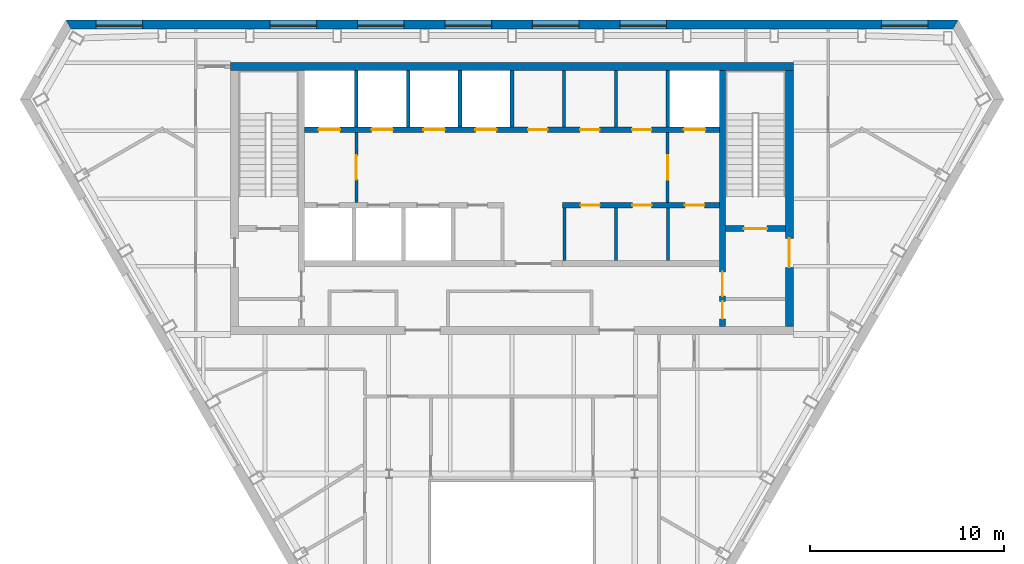
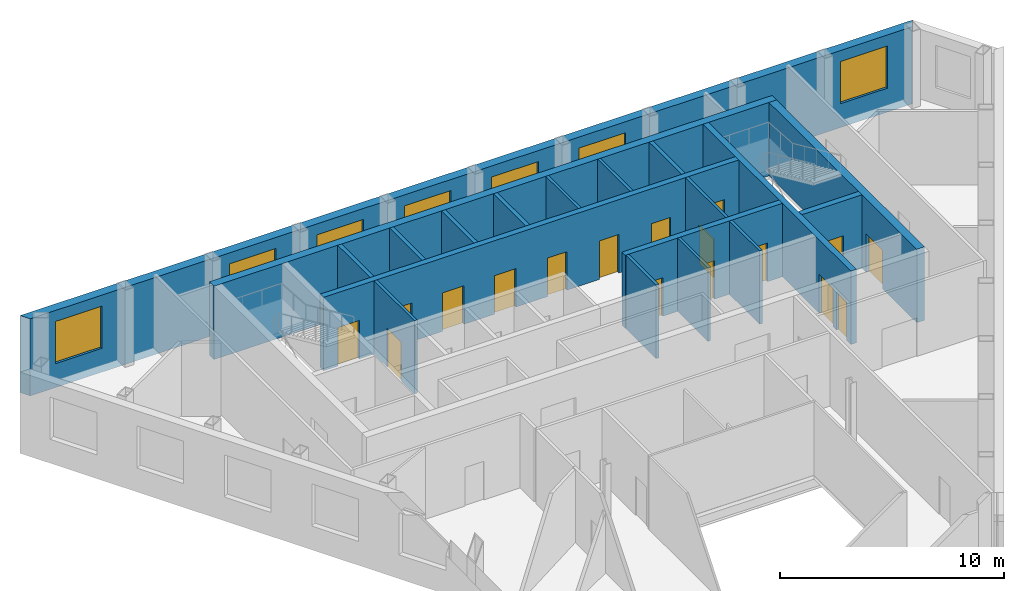
# One storey, part 6 of 10: 19 walls, 17 doors, 7 windows, 24 openings.
"""IFC4 building model written with IfcOpenShell, lengths in metres."""

from ifc_helpers import new_model, si_unit, direction, frame, frame_2d, origin, place, context, subcontext, project, spatial, polyline, rectangle, outline, extrude, material, layer, layer_set, type_object, element, fill, save


model = new_model("IFC4")

# Units and contexts
model_context = context("Model", 3, precision=1e-05, world=origin(), true_north=direction((0.0, 1.0)))
body_context = subcontext(model_context, "Body", "Model", "MODEL_VIEW")
ifc_project = project(units=[si_unit("LENGTHUNIT", "METRE"), si_unit("AREAUNIT", "SQUARE_METRE"), si_unit("VOLUMEUNIT", "CUBIC_METRE"), si_unit("PLANEANGLEUNIT", "RADIAN"), si_unit("MASSUNIT", "GRAM", prefix="KILO")], contexts=[model_context])

# Site, building, storey
site_placement = place(None, origin())
site = spatial("IfcSite", under=ifc_project, at=site_placement, CompositionType="ELEMENT")
building_placement = place(site_placement, origin())
building = spatial("IfcBuilding", under=site, at=building_placement, Name="Njiva Tower", CompositionType="ELEMENT")
storey_placement = place(building_placement, frame((0.0, 0.0, 308.4)))
storey = spatial("IfcBuildingStorey", under=building, at=storey_placement, Name="L70", CompositionType="ELEMENT", Elevation=308.4)

# Walls
ifc_material_1 = material(Name="Blockwork", Category="masonry")
ifc_layer_1 = layer(ifc_material_1, 0.15)
ifc_layer_set_1 = layer_set([ifc_layer_1], Name="Blockwork")
wall_type_1 = type_object("IfcWallType", Name="WT1 Compartment partition 150", PredefinedType="PARTITIONING", material=ifc_layer_set_1)
for number, where, z_axis, x_axis, name in (
    (1, (2.675, 14.7, 0.0), (0.0, 0.0, 1.0), (0.0, 1.0, 0.0), "Partition CN5"),
    (2, (5.35, 14.7, 0.0), (0.0, 0.0, 1.0), (0.0, 1.0, 0.0), "Partition CN6"),
):
    element("IfcWall", number, at=place(storey_placement, frame(where, z_axis=z_axis, x_axis=x_axis)), inside=storey, type_object=wall_type_1, Name=name, PredefinedType="PARTITIONING", context=body_context, shape_type="SweptSolid", body=[
        extrude(rectangle(XDim=2.9, YDim=0.15, at=frame_2d((1.45, 0.0))), origin(), (0.0, 0.0, 1.0), 4.0),
    ])
for number, where, z_axis, x_axis, name in (
    (3, (2.7, 7.8, 0.0), (0.0, 0.0, 1.0), (0.0, 1.0, 0.0), "Partition CS5"),
    (4, (5.3667, 7.8, 0.0), (0.0, 0.0, 1.0), (0.0, 1.0, 0.0), "Partition CS6"),
    (5, (8.0333, 7.8, 0.0), (0.0, 0.0, 1.0), (0.0, 1.0, 0.0), "Partition CS7"),
):
    element("IfcWall", number, at=place(storey_placement, frame(where, z_axis=z_axis, x_axis=x_axis)), inside=storey, type_object=wall_type_1, Name=name, PredefinedType="PARTITIONING", context=body_context, shape_type="SweptSolid", body=[
        extrude(rectangle(XDim=2.7, YDim=0.15, at=frame_2d((1.35, 0.0))), origin(), (0.0, 0.0, 1.0), 4.0),
    ])

# Wall, openings, doors
ifc_material_2 = material(Name="Concrete C40/50", Category="concrete")
ifc_layer_2 = layer(ifc_material_2, 0.3)
ifc_layer_set_2 = layer_set([ifc_layer_2], Name="Concrete C40/50")
wall_type_2 = type_object("IfcWallType", Name="WT10 Stair enclosure wall 300", PredefinedType="SHEAR", material=ifc_layer_set_2)
wall_1_placement = place(storey_placement, frame((10.85, 4.4, 0.0), z_axis=(0.0, 0.0, 1.0), x_axis=(0.0, 1.0, 0.0)))
wall_1 = element("IfcWall", 6, at=wall_1_placement, inside=storey, type_object=wall_type_2, Name="Stair wall east inner", PredefinedType="SHEAR", context=body_context, shape_type="SweptSolid", body=[
    extrude(rectangle(XDim=13.2, YDim=0.3, at=frame_2d((6.6, 0.0))), origin(), (0.0, 0.0, 1.0), 4.0),
])
opening_1_placement = place(wall_1_placement, frame((1.575, 0.0, 0.0)))
opening_1 = element("IfcOpeningElement", 7, at=opening_1_placement, cuts=wall_1, Name="Opening S23-D923", PredefinedType="OPENING", context=body_context, shape_type="SweptSolid", body=[
    extrude(rectangle(XDim=1.25, YDim=2.1, at=frame_2d((0.625, 1.05))), frame((0.0, 0.16, 0.0), z_axis=(0.0, -1.0, 0.0), x_axis=(1.0, 0.0, 0.0)), (0.0, 0.0, 1.0), 0.32),
])
opening_2_placement = place(wall_1_placement, frame((0.4, 0.0, 0.0)))
opening_2 = element("IfcOpeningElement", 8, at=opening_2_placement, cuts=wall_1, Name="Opening S23-D925", PredefinedType="OPENING", context=body_context, shape_type="SweptSolid", body=[
    extrude(rectangle(XDim=0.9, YDim=2.1, at=frame_2d((0.45, 1.05))), frame((0.0, 0.16, 0.0), z_axis=(0.0, -1.0, 0.0), x_axis=(1.0, 0.0, 0.0)), (0.0, 0.0, 1.0), 0.32),
])
ifc_material_3 = material(Name="Steel door, painted", Category="steel")
door_type_1 = type_object("IfcDoorType", Name="D13 Steel door 900x2100", OperationType="SINGLE_SWING_LEFT", PredefinedType="DOOR", material=ifc_material_3)
door_1_placement = place(opening_2_placement, origin())
door_1 = element("IfcDoor", 9, at=door_1_placement, inside=storey, type_object=door_type_1, Name="Quiet room door", OperationType="SINGLE_SWING_LEFT", OverallHeight=2.1, OverallWidth=0.9, PredefinedType="DOOR", context=body_context, shape_type="SweptSolid", body=[
    extrude(rectangle(XDim=0.9, YDim=2.1, at=frame_2d((0.45, 1.05))), frame((0.0, 0.025, 0.0), z_axis=(0.0, -1.0, 0.0), x_axis=(1.0, 0.0, 0.0)), (0.0, 0.0, 1.0), 0.05),
])
fill(opening_2, door_1)
ifc_material_4 = material(Name="Glazed steel fire door", Category="steel")
door_type_2 = type_object("IfcDoorType", Name="D8 Vestibule corridor door 1250x2100 glazed", OperationType="SINGLE_SWING_LEFT", PredefinedType="DOOR", material=ifc_material_4)
door_2_placement = place(opening_1_placement, origin())
door_2 = element("IfcDoor", 10, at=door_2_placement, inside=storey, type_object=door_type_2, Name="Stair vestibule corridor door", OperationType="SINGLE_SWING_RIGHT", OverallHeight=2.1, OverallWidth=1.25, PredefinedType="DOOR", context=body_context, shape_type="SweptSolid", body=[
    extrude(rectangle(XDim=1.25, YDim=2.1, at=frame_2d((0.625, 1.05))), frame((0.0, 0.025, 0.0), z_axis=(0.0, -1.0, 0.0), x_axis=(1.0, 0.0, 0.0)), (0.0, 0.0, 1.0), 0.05),
])
fill(opening_1, door_2)

# Wall, opening, door
wall_2_placement = place(storey_placement, frame((11.0, 9.45, 0.0), z_axis=(0.0, 0.0, 1.0), x_axis=(1.0, 0.0, 0.0)))
wall_2 = element("IfcWall", 11, at=wall_2_placement, inside=storey, type_object=wall_type_2, Name="Stair B south wall", PredefinedType="SHEAR", context=body_context, shape_type="SweptSolid", body=[
    extrude(rectangle(XDim=3.1, YDim=0.3, at=frame_2d((1.55, 0.0))), origin(), (0.0, 0.0, 1.0), 4.0),
])
opening_3_placement = place(wall_2_placement, frame((0.95, 0.0, 0.0)))
opening_3 = element("IfcOpeningElement", 12, at=opening_3_placement, cuts=wall_2, Name="Opening S23-D922", PredefinedType="OPENING", context=body_context, shape_type="SweptSolid", body=[
    extrude(rectangle(XDim=1.2, YDim=2.1, at=frame_2d((0.6, 1.05))), frame((0.0, 0.16, 0.0), z_axis=(0.0, -1.0, 0.0), x_axis=(1.0, 0.0, 0.0)), (0.0, 0.0, 1.0), 0.32),
])
door_type_3 = type_object("IfcDoorType", Name="D7 Stair vestibule door 1200x2100 glazed", OperationType="SINGLE_SWING_LEFT", PredefinedType="DOOR", material=ifc_material_4)
door_3_placement = place(opening_3_placement, origin())
door_3 = element("IfcDoor", 13, at=door_3_placement, inside=storey, type_object=door_type_3, Name="Stair B door", OperationType="SINGLE_SWING_LEFT", OverallHeight=2.1, OverallWidth=1.2, PredefinedType="DOOR", context=body_context, shape_type="SweptSolid", body=[
    extrude(rectangle(XDim=1.2, YDim=2.1, at=frame_2d((0.6, 1.05))), frame((0.0, 0.025, 0.0), z_axis=(0.0, -1.0, 0.0), x_axis=(1.0, 0.0, 0.0)), (0.0, 0.0, 1.0), 0.05),
])
fill(opening_3, door_3)

# Wall
ifc_material_5 = material(Name="Concrete C60/75", Category="concrete")
ifc_layer_3 = layer(ifc_material_5, 0.4)
ifc_layer_set_3 = layer_set([ifc_layer_3], Name="Concrete C60/75")
wall_type_3 = type_object("IfcWallType", Name="WT11 Core wall 400", PredefinedType="SHEAR", material=ifc_layer_set_3)
wall_3_placement = place(storey_placement, frame((-14.5, 17.8, 0.0), z_axis=(0.0, 0.0, 1.0), x_axis=(1.0, 0.0, 0.0)))
element("IfcWall", 14, at=wall_3_placement, inside=storey, type_object=wall_type_3, Name="Core wall north", PredefinedType="SHEAR", context=body_context, shape_type="SweptSolid", body=[
    extrude(rectangle(XDim=29.0, YDim=0.4, at=frame_2d((14.5, 0.0))), origin(), (0.0, 0.0, 1.0), 4.0),
])

# Wall, opening, door
wall_4_placement = place(storey_placement, frame((14.3, 4.4, 0.0), z_axis=(0.0, 0.0, 1.0), x_axis=(0.0, 1.0, 0.0)))
wall_4 = element("IfcWall", 15, at=wall_4_placement, inside=storey, type_object=wall_type_3, Name="Core wall east", PredefinedType="SHEAR", context=body_context, shape_type="SweptSolid", body=[
    extrude(rectangle(XDim=13.2, YDim=0.4, at=frame_2d((6.6, 0.0))), origin(), (0.0, 0.0, 1.0), 4.0),
])
opening_4_placement = place(wall_4_placement, frame((3.05, 0.0, 0.0)))
opening_4 = element("IfcOpeningElement", 16, at=opening_4_placement, cuts=wall_4, Name="Opening S23-D924", PredefinedType="OPENING", context=body_context, shape_type="SweptSolid", body=[
    extrude(rectangle(XDim=1.5, YDim=2.1, at=frame_2d((0.75, 1.05))), frame((0.0, 0.21, 0.0), z_axis=(0.0, -1.0, 0.0), x_axis=(1.0, 0.0, 0.0)), (0.0, 0.0, 1.0), 0.42),
])
door_type_4 = type_object("IfcDoorType", Name="D10 Exit door double 1500x2100 glazed", OperationType="DOUBLE_DOOR_SINGLE_SWING", PredefinedType="DOOR", material=ifc_material_4)
door_4_placement = place(opening_4_placement, origin())
door_4 = element("IfcDoor", 17, at=door_4_placement, inside=storey, type_object=door_type_4, Name="Stair B corridor door", OperationType="DOUBLE_DOOR_SINGLE_SWING", OverallHeight=2.1, OverallWidth=1.5, PredefinedType="DOOR", context=body_context, shape_type="SweptSolid", body=[
    extrude(rectangle(XDim=1.5, YDim=2.1, at=frame_2d((0.75, 1.05))), frame((0.0, 0.025, 0.0), z_axis=(0.0, -1.0, 0.0), x_axis=(1.0, 0.0, 0.0)), (0.0, 0.0, 1.0), 0.05),
])
fill(opening_4, door_4)

ifc_layer_4 = layer(ifc_material_1, 0.15)
ifc_layer_set_4 = layer_set([ifc_layer_4], Name="Blockwork")
wall_type_4 = type_object("IfcWallType", Name="WT2 Lobby partition 150", PredefinedType="PARTITIONING", material=ifc_layer_set_4)
wall_5_placement = place(storey_placement, frame((-8.025, 10.8, 0.0), z_axis=(0.0, 0.0, 1.0), x_axis=(0.0, 1.0, 0.0)))
wall_5 = element("IfcWall", 18, at=wall_5_placement, inside=storey, type_object=wall_type_4, Name="Firefighting lobby wall A", PredefinedType="PARTITIONING", context=body_context, shape_type="SweptSolid", body=[
    extrude(rectangle(XDim=3.6, YDim=0.15, at=frame_2d((1.8, 0.0))), origin(), (0.0, 0.0, 1.0), 4.0),
])
opening_5_placement = place(wall_5_placement, frame((1.175, 0.0, 0.0)))
opening_5 = element("IfcOpeningElement", 19, at=opening_5_placement, cuts=wall_5, Name="Opening S23-D916", PredefinedType="OPENING", context=body_context, shape_type="SweptSolid", body=[
    extrude(rectangle(XDim=1.25, YDim=2.1, at=frame_2d((0.625, 1.05))), frame((0.0, 0.085, 0.0), z_axis=(0.0, -1.0, 0.0), x_axis=(1.0, 0.0, 0.0)), (0.0, 0.0, 1.0), 0.17),
])
door_5_placement = place(opening_5_placement, origin())
door_5 = element("IfcDoor", 20, at=door_5_placement, inside=storey, type_object=door_type_2, Name="Stair vestibule corridor door", OperationType="SINGLE_SWING_RIGHT", OverallHeight=2.1, OverallWidth=1.25, PredefinedType="DOOR", context=body_context, shape_type="SweptSolid", body=[
    extrude(rectangle(XDim=1.25, YDim=2.1, at=frame_2d((0.625, 1.05))), frame((0.0, 0.025, 0.0), z_axis=(0.0, -1.0, 0.0), x_axis=(1.0, 0.0, 0.0)), (0.0, 0.0, 1.0), 0.05),
])
fill(opening_5, door_5)

wall_6_placement = place(storey_placement, frame((8.025, 10.8, 0.0), z_axis=(0.0, 0.0, 1.0), x_axis=(0.0, 1.0, 0.0)))
wall_6 = element("IfcWall", 21, at=wall_6_placement, inside=storey, type_object=wall_type_4, Name="Firefighting lobby wall B", PredefinedType="PARTITIONING", context=body_context, shape_type="SweptSolid", body=[
    extrude(rectangle(XDim=3.6, YDim=0.15, at=frame_2d((1.8, 0.0))), origin(), (0.0, 0.0, 1.0), 4.0),
])
opening_6_placement = place(wall_6_placement, frame((1.175, 0.0, 0.0)))
opening_6 = element("IfcOpeningElement", 22, at=opening_6_placement, cuts=wall_6, Name="Opening S23-D921", PredefinedType="OPENING", context=body_context, shape_type="SweptSolid", body=[
    extrude(rectangle(XDim=1.25, YDim=2.1, at=frame_2d((0.625, 1.05))), frame((0.0, 0.085, 0.0), z_axis=(0.0, -1.0, 0.0), x_axis=(1.0, 0.0, 0.0)), (0.0, 0.0, 1.0), 0.17),
])
door_6_placement = place(opening_6_placement, origin())
door_6 = element("IfcDoor", 23, at=door_6_placement, inside=storey, type_object=door_type_2, Name="Stair vestibule corridor door", OperationType="SINGLE_SWING_LEFT", OverallHeight=2.1, OverallWidth=1.25, PredefinedType="DOOR", context=body_context, shape_type="SweptSolid", body=[
    extrude(rectangle(XDim=1.25, YDim=2.1, at=frame_2d((0.625, 1.05))), frame((0.0, 0.025, 0.0), z_axis=(0.0, -1.0, 0.0), x_axis=(1.0, 0.0, 0.0)), (0.0, 0.0, 1.0), 0.05),
])
fill(opening_6, door_6)

# Walls
ifc_layer_5 = layer(ifc_material_2, 0.2)
ifc_layer_set_5 = layer_set([ifc_layer_5], Name="Concrete C40/50")
wall_type_5 = type_object("IfcWallType", Name="WT6 Lift shaft wall 200", PredefinedType="SHEAR", material=ifc_layer_set_5)
for number, where, z_axis, x_axis, name in (
    (24, (-8.025, 14.7, 0.0), (0.0, 0.0, 1.0), (0.0, 1.0, 0.0), "Shaft wall CN1"),
    (25, (-5.35, 14.7, 0.0), (0.0, 0.0, 1.0), (0.0, 1.0, 0.0), "Shaft wall CN2"),
    (26, (-2.675, 14.7, 0.0), (0.0, 0.0, 1.0), (0.0, 1.0, 0.0), "Shaft wall CN3"),
    (27, (0.0, 14.7, 0.0), (0.0, 0.0, 1.0), (0.0, 1.0, 0.0), "Shaft wall CN4"),
    (28, (8.025, 14.7, 0.0), (0.0, 0.0, 1.0), (0.0, 1.0, 0.0), "Shaft wall CN7"),
):
    element("IfcWall", number, at=place(storey_placement, frame(where, z_axis=z_axis, x_axis=x_axis)), inside=storey, type_object=wall_type_5, Name=name, PredefinedType="SHEAR", context=body_context, shape_type="SweptSolid", body=[
        extrude(rectangle(XDim=2.9, YDim=0.2, at=frame_2d((1.45, 0.0))), origin(), (0.0, 0.0, 1.0), 4.0),
    ])

# Wall, openings, doors
ifc_layer_6 = layer(ifc_material_2, 0.3)
ifc_layer_set_6 = layer_set([ifc_layer_6], Name="Concrete C40/50")
wall_type_6 = type_object("IfcWallType", Name="WT7 Lift shaft wall 300", PredefinedType="SHEAR", material=ifc_layer_set_6)
wall_7_placement = place(storey_placement, frame((-10.7, 14.55, 0.0), z_axis=(0.0, 0.0, 1.0), x_axis=(1.0, 0.0, 0.0)))
wall_7 = element("IfcWall", 29, at=wall_7_placement, inside=storey, type_object=wall_type_6, Name="Shaft wall north row lobby side", PredefinedType="SHEAR", context=body_context, shape_type="SweptSolid", body=[
    extrude(rectangle(XDim=21.4, YDim=0.3, at=frame_2d((10.7, 0.0))), origin(), (0.0, 0.0, 1.0), 4.0),
])
opening_7_placement = place(wall_7_placement, frame((0.7375, 0.0, 0.0)))
opening_7 = element("IfcOpeningElement", 30, at=opening_7_placement, cuts=wall_7, Name="Opening S23-D901", PredefinedType="OPENING", context=body_context, shape_type="SweptSolid", body=[
    extrude(rectangle(XDim=1.1, YDim=2.1, at=frame_2d((0.55, 1.05))), frame((0.0, 0.16, 0.0), z_axis=(0.0, -1.0, 0.0), x_axis=(1.0, 0.0, 0.0)), (0.0, 0.0, 1.0), 0.32),
])
opening_8_placement = place(wall_7_placement, frame((3.4625, 0.0, 0.0)))
opening_8 = element("IfcOpeningElement", 31, at=opening_8_placement, cuts=wall_7, Name="Opening S23-D902", PredefinedType="OPENING", context=body_context, shape_type="SweptSolid", body=[
    extrude(rectangle(XDim=1.1, YDim=2.1, at=frame_2d((0.55, 1.05))), frame((0.0, 0.16, 0.0), z_axis=(0.0, -1.0, 0.0), x_axis=(1.0, 0.0, 0.0)), (0.0, 0.0, 1.0), 0.32),
])
opening_9_placement = place(wall_7_placement, frame((6.1375, 0.0, 0.0)))
opening_9 = element("IfcOpeningElement", 32, at=opening_9_placement, cuts=wall_7, Name="Opening S23-D903", PredefinedType="OPENING", context=body_context, shape_type="SweptSolid", body=[
    extrude(rectangle(XDim=1.1, YDim=2.1, at=frame_2d((0.55, 1.05))), frame((0.0, 0.16, 0.0), z_axis=(0.0, -1.0, 0.0), x_axis=(1.0, 0.0, 0.0)), (0.0, 0.0, 1.0), 0.32),
])
opening_10_placement = place(wall_7_placement, frame((8.8125, 0.0, 0.0)))
opening_10 = element("IfcOpeningElement", 33, at=opening_10_placement, cuts=wall_7, Name="Opening S23-D904", PredefinedType="OPENING", context=body_context, shape_type="SweptSolid", body=[
    extrude(rectangle(XDim=1.1, YDim=2.1, at=frame_2d((0.55, 1.05))), frame((0.0, 0.16, 0.0), z_axis=(0.0, -1.0, 0.0), x_axis=(1.0, 0.0, 0.0)), (0.0, 0.0, 1.0), 0.32),
])
opening_11_placement = place(wall_7_placement, frame((19.5625, 0.0, 0.0)))
opening_11 = element("IfcOpeningElement", 34, at=opening_11_placement, cuts=wall_7, Name="Opening S23-D905", PredefinedType="OPENING", context=body_context, shape_type="SweptSolid", body=[
    extrude(rectangle(XDim=1.1, YDim=2.1, at=frame_2d((0.55, 1.05))), frame((0.0, 0.16, 0.0), z_axis=(0.0, -1.0, 0.0), x_axis=(1.0, 0.0, 0.0)), (0.0, 0.0, 1.0), 0.32),
])
opening_12_placement = place(wall_7_placement, frame((11.5375, 0.0, 0.0)))
opening_12 = element("IfcOpeningElement", 35, at=opening_12_placement, cuts=wall_7, Name="Opening S23-D909", PredefinedType="OPENING", context=body_context, shape_type="SweptSolid", body=[
    extrude(rectangle(XDim=1.0, YDim=2.1, at=frame_2d((0.5, 1.05))), frame((0.0, 0.16, 0.0), z_axis=(0.0, -1.0, 0.0), x_axis=(1.0, 0.0, 0.0)), (0.0, 0.0, 1.0), 0.32),
])
opening_13_placement = place(wall_7_placement, frame((14.2125, 0.0, 0.0)))
opening_13 = element("IfcOpeningElement", 36, at=opening_13_placement, cuts=wall_7, Name="Opening S23-D910", PredefinedType="OPENING", context=body_context, shape_type="SweptSolid", body=[
    extrude(rectangle(XDim=1.0, YDim=2.1, at=frame_2d((0.5, 1.05))), frame((0.0, 0.16, 0.0), z_axis=(0.0, -1.0, 0.0), x_axis=(1.0, 0.0, 0.0)), (0.0, 0.0, 1.0), 0.32),
])
opening_14_placement = place(wall_7_placement, frame((16.8875, 0.0, 0.0)))
opening_14 = element("IfcOpeningElement", 37, at=opening_14_placement, cuts=wall_7, Name="Opening S23-D911", PredefinedType="OPENING", context=body_context, shape_type="SweptSolid", body=[
    extrude(rectangle(XDim=1.0, YDim=2.1, at=frame_2d((0.5, 1.05))), frame((0.0, 0.16, 0.0), z_axis=(0.0, -1.0, 0.0), x_axis=(1.0, 0.0, 0.0)), (0.0, 0.0, 1.0), 0.32),
])
door_type_5 = type_object("IfcDoorType", Name="D5 Steel door 1000x2100", OperationType="SINGLE_SWING_LEFT", PredefinedType="DOOR", material=ifc_material_3)
door_7_placement = place(opening_12_placement, origin())
door_7 = element("IfcDoor", 38, at=door_7_placement, inside=storey, type_object=door_type_5, Name="Business centre door", OperationType="SINGLE_SWING_LEFT", OverallHeight=2.1, OverallWidth=1.0, PredefinedType="DOOR", context=body_context, shape_type="SweptSolid", body=[
    extrude(rectangle(XDim=1.0, YDim=2.1, at=frame_2d((0.5, 1.05))), frame((0.0, 0.025, 0.0), z_axis=(0.0, -1.0, 0.0), x_axis=(1.0, 0.0, 0.0)), (0.0, 0.0, 1.0), 0.05),
])
fill(opening_12, door_7)
door_8_placement = place(opening_13_placement, origin())
door_8 = element("IfcDoor", 39, at=door_8_placement, inside=storey, type_object=door_type_5, Name="Meeting room door", OperationType="SINGLE_SWING_LEFT", OverallHeight=2.1, OverallWidth=1.0, PredefinedType="DOOR", context=body_context, shape_type="SweptSolid", body=[
    extrude(rectangle(XDim=1.0, YDim=2.1, at=frame_2d((0.5, 1.05))), frame((0.0, 0.025, 0.0), z_axis=(0.0, -1.0, 0.0), x_axis=(1.0, 0.0, 0.0)), (0.0, 0.0, 1.0), 0.05),
])
fill(opening_13, door_8)
door_9_placement = place(opening_14_placement, origin())
door_9 = element("IfcDoor", 40, at=door_9_placement, inside=storey, type_object=door_type_5, Name="Breakout room door", OperationType="SINGLE_SWING_LEFT", OverallHeight=2.1, OverallWidth=1.0, PredefinedType="DOOR", context=body_context, shape_type="SweptSolid", body=[
    extrude(rectangle(XDim=1.0, YDim=2.1, at=frame_2d((0.5, 1.05))), frame((0.0, 0.025, 0.0), z_axis=(0.0, -1.0, 0.0), x_axis=(1.0, 0.0, 0.0)), (0.0, 0.0, 1.0), 0.05),
])
fill(opening_14, door_9)
ifc_material_6 = material(Name="Stainless steel sliding door", Category="steel")
door_type_6 = type_object("IfcDoorType", Name="LD Lift landing door 1100x2100", OperationType="SLIDING_TO_LEFT", PredefinedType="DOOR", material=ifc_material_6)
door_10_placement = place(opening_7_placement, origin())
door_10 = element("IfcDoor", 41, at=door_10_placement, inside=storey, type_object=door_type_6, Name="Lift landing door FF1", OperationType="SLIDING_TO_LEFT", OverallHeight=2.1, OverallWidth=1.1, PredefinedType="DOOR", context=body_context, shape_type="SweptSolid", body=[
    extrude(rectangle(XDim=1.1, YDim=2.1, at=frame_2d((0.55, 1.05))), frame((0.0, 0.025, 0.0), z_axis=(0.0, -1.0, 0.0), x_axis=(1.0, 0.0, 0.0)), (0.0, 0.0, 1.0), 0.05),
])
fill(opening_7, door_10)
door_11_placement = place(opening_8_placement, origin())
door_11 = element("IfcDoor", 42, at=door_11_placement, inside=storey, type_object=door_type_6, Name="Lift landing door HB4", OperationType="SLIDING_TO_LEFT", OverallHeight=2.1, OverallWidth=1.1, PredefinedType="DOOR", context=body_context, shape_type="SweptSolid", body=[
    extrude(rectangle(XDim=1.1, YDim=2.1, at=frame_2d((0.55, 1.05))), frame((0.0, 0.025, 0.0), z_axis=(0.0, -1.0, 0.0), x_axis=(1.0, 0.0, 0.0)), (0.0, 0.0, 1.0), 0.05),
])
fill(opening_8, door_11)
door_12_placement = place(opening_9_placement, origin())
door_12 = element("IfcDoor", 43, at=door_12_placement, inside=storey, type_object=door_type_6, Name="Lift landing door HB5", OperationType="SLIDING_TO_LEFT", OverallHeight=2.1, OverallWidth=1.1, PredefinedType="DOOR", context=body_context, shape_type="SweptSolid", body=[
    extrude(rectangle(XDim=1.1, YDim=2.1, at=frame_2d((0.55, 1.05))), frame((0.0, 0.025, 0.0), z_axis=(0.0, -1.0, 0.0), x_axis=(1.0, 0.0, 0.0)), (0.0, 0.0, 1.0), 0.05),
])
fill(opening_9, door_12)
door_13_placement = place(opening_10_placement, origin())
door_13 = element("IfcDoor", 44, at=door_13_placement, inside=storey, type_object=door_type_6, Name="Lift landing door HB6", OperationType="SLIDING_TO_LEFT", OverallHeight=2.1, OverallWidth=1.1, PredefinedType="DOOR", context=body_context, shape_type="SweptSolid", body=[
    extrude(rectangle(XDim=1.1, YDim=2.1, at=frame_2d((0.55, 1.05))), frame((0.0, 0.025, 0.0), z_axis=(0.0, -1.0, 0.0), x_axis=(1.0, 0.0, 0.0)), (0.0, 0.0, 1.0), 0.05),
])
fill(opening_10, door_13)
door_14_placement = place(opening_11_placement, origin())
door_14 = element("IfcDoor", 45, at=door_14_placement, inside=storey, type_object=door_type_6, Name="Lift landing door FF2", OperationType="SLIDING_TO_LEFT", OverallHeight=2.1, OverallWidth=1.1, PredefinedType="DOOR", context=body_context, shape_type="SweptSolid", body=[
    extrude(rectangle(XDim=1.1, YDim=2.1, at=frame_2d((0.55, 1.05))), frame((0.0, 0.025, 0.0), z_axis=(0.0, -1.0, 0.0), x_axis=(1.0, 0.0, 0.0)), (0.0, 0.0, 1.0), 0.05),
])
fill(opening_11, door_14)

wall_8_placement = place(storey_placement, frame((2.6, 10.65, 0.0), z_axis=(0.0, 0.0, 1.0), x_axis=(1.0, 0.0, 0.0)))
wall_8 = element("IfcWall", 46, at=wall_8_placement, inside=storey, type_object=wall_type_6, Name="Shaft wall south row lobby side E", PredefinedType="SHEAR", context=body_context, shape_type="SweptSolid", body=[
    extrude(rectangle(XDim=8.1, YDim=0.3, at=frame_2d((4.05, 0.0))), origin(), (0.0, 0.0, 1.0), 4.0),
])
opening_15_placement = place(wall_8_placement, frame((0.9334, 0.0, 0.0)))
opening_15 = element("IfcOpeningElement", 47, at=opening_15_placement, cuts=wall_8, Name="Opening S23-D913", PredefinedType="OPENING", context=body_context, shape_type="SweptSolid", body=[
    extrude(rectangle(XDim=1.0, YDim=2.1, at=frame_2d((0.5, 1.05))), frame((0.0, 0.16, 0.0), z_axis=(0.0, -1.0, 0.0), x_axis=(1.0, 0.0, 0.0)), (0.0, 0.0, 1.0), 0.32),
])
opening_16_placement = place(wall_8_placement, frame((3.6, 0.0, 0.0)))
opening_16 = element("IfcOpeningElement", 48, at=opening_16_placement, cuts=wall_8, Name="Opening S23-D914", PredefinedType="OPENING", context=body_context, shape_type="SweptSolid", body=[
    extrude(rectangle(XDim=1.0, YDim=2.1, at=frame_2d((0.5, 1.05))), frame((0.0, 0.16, 0.0), z_axis=(0.0, -1.0, 0.0), x_axis=(1.0, 0.0, 0.0)), (0.0, 0.0, 1.0), 0.32),
])
opening_17_placement = place(wall_8_placement, frame((6.3167, 0.0, 0.0)))
opening_17 = element("IfcOpeningElement", 49, at=opening_17_placement, cuts=wall_8, Name="Opening S23-D915", PredefinedType="OPENING", context=body_context, shape_type="SweptSolid", body=[
    extrude(rectangle(XDim=1.0, YDim=2.1, at=frame_2d((0.5, 1.05))), frame((0.0, 0.16, 0.0), z_axis=(0.0, -1.0, 0.0), x_axis=(1.0, 0.0, 0.0)), (0.0, 0.0, 1.0), 0.32),
])
door_15_placement = place(opening_15_placement, origin())
door_15 = element("IfcDoor", 50, at=door_15_placement, inside=storey, type_object=door_type_5, Name="Reading room door", OperationType="SINGLE_SWING_LEFT", OverallHeight=2.1, OverallWidth=1.0, PredefinedType="DOOR", context=body_context, shape_type="SweptSolid", body=[
    extrude(rectangle(XDim=1.0, YDim=2.1, at=frame_2d((0.5, 1.05))), frame((0.0, 0.025, 0.0), z_axis=(0.0, -1.0, 0.0), x_axis=(1.0, 0.0, 0.0)), (0.0, 0.0, 1.0), 0.05),
])
fill(opening_15, door_15)
door_16_placement = place(opening_16_placement, origin())
door_16 = element("IfcDoor", 51, at=door_16_placement, inside=storey, type_object=door_type_5, Name="Business centre door", OperationType="SINGLE_SWING_RIGHT", OverallHeight=2.1, OverallWidth=1.0, PredefinedType="DOOR", context=body_context, shape_type="SweptSolid", body=[
    extrude(rectangle(XDim=1.0, YDim=2.1, at=frame_2d((0.5, 1.05))), frame((0.0, 0.025, 0.0), z_axis=(0.0, -1.0, 0.0), x_axis=(1.0, 0.0, 0.0)), (0.0, 0.0, 1.0), 0.05),
])
fill(opening_16, door_16)
door_17_placement = place(opening_17_placement, origin())
door_17 = element("IfcDoor", 52, at=door_17_placement, inside=storey, type_object=door_type_5, Name="Pump room door", OperationType="SINGLE_SWING_RIGHT", OverallHeight=2.1, OverallWidth=1.0, PredefinedType="DOOR", context=body_context, shape_type="SweptSolid", body=[
    extrude(rectangle(XDim=1.0, YDim=2.1, at=frame_2d((0.5, 1.05))), frame((0.0, 0.025, 0.0), z_axis=(0.0, -1.0, 0.0), x_axis=(1.0, 0.0, 0.0)), (0.0, 0.0, 1.0), 0.05),
])
fill(opening_17, door_17)

# Wall, openings, windows
ifc_material_7 = material(Name="Brick masonry", Category="masonry")
ifc_layer_7 = layer(ifc_material_7, 0.45)
ifc_layer_set_7 = layer_set([ifc_layer_7], Name="Brick masonry")
wall_type_7 = type_object("IfcWallType", Name="WT90 Brick pier and spandrel wall 450", PredefinedType="SOLIDWALL", material=ifc_layer_set_7)
wall_9_placement = place(storey_placement, frame((22.8651, 19.975, -0.4), z_axis=(0.0, 0.0, 1.0), x_axis=(-1.0, 0.0, 0.0)))
wall_9 = element("IfcWall", 53, at=wall_9_placement, inside=storey, type_object=wall_type_7, Name="Facade wall N", PredefinedType="SOLIDWALL", context=body_context, shape_type="SweptSolid", body=[
    extrude(outline(polyline([(-0.1299, -0.225), (45.8601, -0.225), (45.6003, 0.225), (0.1299, 0.225), (-0.1299, -0.225)])), origin(), (0.0, 0.0, 1.0), 4.2),
])
opening_18_placement = place(wall_9_placement, frame((1.4237, 0.0, 1.3)))
opening_18 = element("IfcOpeningElement", 54, at=opening_18_placement, cuts=wall_9, Name="Opening S23-W01", PredefinedType="OPENING", context=body_context, shape_type="SweptSolid", body=[
    extrude(rectangle(XDim=2.4, YDim=2.3, at=frame_2d((1.2, 1.15))), frame((0.0, 0.235, 0.0), z_axis=(0.0, -1.0, 0.0), x_axis=(1.0, 0.0, 0.0)), (0.0, 0.0, 1.0), 0.47),
])
opening_19_placement = place(wall_9_placement, frame((14.9052, 0.0, 1.3)))
opening_19 = element("IfcOpeningElement", 55, at=opening_19_placement, cuts=wall_9, Name="Opening S23-W02", PredefinedType="OPENING", context=body_context, shape_type="SweptSolid", body=[
    extrude(rectangle(XDim=2.4, YDim=2.3, at=frame_2d((1.2, 1.15))), frame((0.0, 0.235, 0.0), z_axis=(0.0, -1.0, 0.0), x_axis=(1.0, 0.0, 0.0)), (0.0, 0.0, 1.0), 0.47),
])
opening_20_placement = place(wall_9_placement, frame((19.4118, 0.0, 1.3)))
opening_20 = element("IfcOpeningElement", 56, at=opening_20_placement, cuts=wall_9, Name="Opening S23-W03", PredefinedType="OPENING", context=body_context, shape_type="SweptSolid", body=[
    extrude(rectangle(XDim=2.4, YDim=2.3, at=frame_2d((1.2, 1.15))), frame((0.0, 0.235, 0.0), z_axis=(0.0, -1.0, 0.0), x_axis=(1.0, 0.0, 0.0)), (0.0, 0.0, 1.0), 0.47),
])
opening_21_placement = place(wall_9_placement, frame((23.9184, 0.0, 1.3)))
opening_21 = element("IfcOpeningElement", 57, at=opening_21_placement, cuts=wall_9, Name="Opening S23-W04", PredefinedType="OPENING", context=body_context, shape_type="SweptSolid", body=[
    extrude(rectangle(XDim=2.4, YDim=2.3, at=frame_2d((1.2, 1.15))), frame((0.0, 0.235, 0.0), z_axis=(0.0, -1.0, 0.0), x_axis=(1.0, 0.0, 0.0)), (0.0, 0.0, 1.0), 0.47),
])
opening_22_placement = place(wall_9_placement, frame((28.425, 0.0, 1.3)))
opening_22 = element("IfcOpeningElement", 58, at=opening_22_placement, cuts=wall_9, Name="Opening S23-W05", PredefinedType="OPENING", context=body_context, shape_type="SweptSolid", body=[
    extrude(rectangle(XDim=2.4, YDim=2.3, at=frame_2d((1.2, 1.15))), frame((0.0, 0.235, 0.0), z_axis=(0.0, -1.0, 0.0), x_axis=(1.0, 0.0, 0.0)), (0.0, 0.0, 1.0), 0.47),
])
opening_23_placement = place(wall_9_placement, frame((32.9316, 0.0, 1.3)))
opening_23 = element("IfcOpeningElement", 59, at=opening_23_placement, cuts=wall_9, Name="Opening S23-W06", PredefinedType="OPENING", context=body_context, shape_type="SweptSolid", body=[
    extrude(rectangle(XDim=2.4, YDim=2.3, at=frame_2d((1.2, 1.15))), frame((0.0, 0.235, 0.0), z_axis=(0.0, -1.0, 0.0), x_axis=(1.0, 0.0, 0.0)), (0.0, 0.0, 1.0), 0.47),
])
opening_24_placement = place(wall_9_placement, frame((41.9065, 0.0, 1.3)))
opening_24 = element("IfcOpeningElement", 60, at=opening_24_placement, cuts=wall_9, Name="Opening S23-W07", PredefinedType="OPENING", context=body_context, shape_type="SweptSolid", body=[
    extrude(rectangle(XDim=2.4, YDim=2.3, at=frame_2d((1.2, 1.15))), frame((0.0, 0.235, 0.0), z_axis=(0.0, -1.0, 0.0), x_axis=(1.0, 0.0, 0.0)), (0.0, 0.0, 1.0), 0.47),
])
ifc_material_8 = material(Name="Clear glazing in aluminium frame", Category="aluminium")
window_type = type_object("IfcWindowType", Name="W91 Deep-set window 2400x2300", PartitioningType="SINGLE_PANEL", PredefinedType="WINDOW", material=ifc_material_8)
window_1_placement = place(opening_18_placement, origin())
window_1 = element("IfcWindow", 61, at=window_1_placement, inside=storey, type_object=window_type, Name="Window", OverallHeight=2.3, OverallWidth=2.4, PartitioningType="SINGLE_PANEL", PredefinedType="WINDOW", context=body_context, shape_type="SweptSolid", body=[
    extrude(rectangle(XDim=2.4, YDim=2.3, at=frame_2d((1.2, 1.15))), frame((0.0, 0.105, 0.0), z_axis=(0.0, -1.0, 0.0), x_axis=(1.0, 0.0, 0.0)), (0.0, 0.0, 1.0), 0.06),
])
fill(opening_18, window_1)
window_2_placement = place(opening_19_placement, origin())
window_2 = element("IfcWindow", 62, at=window_2_placement, inside=storey, type_object=window_type, Name="Window", OverallHeight=2.3, OverallWidth=2.4, PartitioningType="SINGLE_PANEL", PredefinedType="WINDOW", context=body_context, shape_type="SweptSolid", body=[
    extrude(rectangle(XDim=2.4, YDim=2.3, at=frame_2d((1.2, 1.15))), frame((0.0, 0.105, 0.0), z_axis=(0.0, -1.0, 0.0), x_axis=(1.0, 0.0, 0.0)), (0.0, 0.0, 1.0), 0.06),
])
fill(opening_19, window_2)
window_3_placement = place(opening_20_placement, origin())
window_3 = element("IfcWindow", 63, at=window_3_placement, inside=storey, type_object=window_type, Name="Window", OverallHeight=2.3, OverallWidth=2.4, PartitioningType="SINGLE_PANEL", PredefinedType="WINDOW", context=body_context, shape_type="SweptSolid", body=[
    extrude(rectangle(XDim=2.4, YDim=2.3, at=frame_2d((1.2, 1.15))), frame((0.0, 0.105, 0.0), z_axis=(0.0, -1.0, 0.0), x_axis=(1.0, 0.0, 0.0)), (0.0, 0.0, 1.0), 0.06),
])
fill(opening_20, window_3)
window_4_placement = place(opening_21_placement, origin())
window_4 = element("IfcWindow", 64, at=window_4_placement, inside=storey, type_object=window_type, Name="Window", OverallHeight=2.3, OverallWidth=2.4, PartitioningType="SINGLE_PANEL", PredefinedType="WINDOW", context=body_context, shape_type="SweptSolid", body=[
    extrude(rectangle(XDim=2.4, YDim=2.3, at=frame_2d((1.2, 1.15))), frame((0.0, 0.105, 0.0), z_axis=(0.0, -1.0, 0.0), x_axis=(1.0, 0.0, 0.0)), (0.0, 0.0, 1.0), 0.06),
])
fill(opening_21, window_4)
window_5_placement = place(opening_22_placement, origin())
window_5 = element("IfcWindow", 65, at=window_5_placement, inside=storey, type_object=window_type, Name="Window", OverallHeight=2.3, OverallWidth=2.4, PartitioningType="SINGLE_PANEL", PredefinedType="WINDOW", context=body_context, shape_type="SweptSolid", body=[
    extrude(rectangle(XDim=2.4, YDim=2.3, at=frame_2d((1.2, 1.15))), frame((0.0, 0.105, 0.0), z_axis=(0.0, -1.0, 0.0), x_axis=(1.0, 0.0, 0.0)), (0.0, 0.0, 1.0), 0.06),
])
fill(opening_22, window_5)
window_6_placement = place(opening_23_placement, origin())
window_6 = element("IfcWindow", 66, at=window_6_placement, inside=storey, type_object=window_type, Name="Window", OverallHeight=2.3, OverallWidth=2.4, PartitioningType="SINGLE_PANEL", PredefinedType="WINDOW", context=body_context, shape_type="SweptSolid", body=[
    extrude(rectangle(XDim=2.4, YDim=2.3, at=frame_2d((1.2, 1.15))), frame((0.0, 0.105, 0.0), z_axis=(0.0, -1.0, 0.0), x_axis=(1.0, 0.0, 0.0)), (0.0, 0.0, 1.0), 0.06),
])
fill(opening_23, window_6)
window_7_placement = place(opening_24_placement, origin())
window_7 = element("IfcWindow", 67, at=window_7_placement, inside=storey, type_object=window_type, Name="Window", OverallHeight=2.3, OverallWidth=2.4, PartitioningType="SINGLE_PANEL", PredefinedType="WINDOW", context=body_context, shape_type="SweptSolid", body=[
    extrude(rectangle(XDim=2.4, YDim=2.3, at=frame_2d((1.2, 1.15))), frame((0.0, 0.105, 0.0), z_axis=(0.0, -1.0, 0.0), x_axis=(1.0, 0.0, 0.0)), (0.0, 0.0, 1.0), 0.06),
])
fill(opening_24, window_7)

save(model, "model.ifc")
